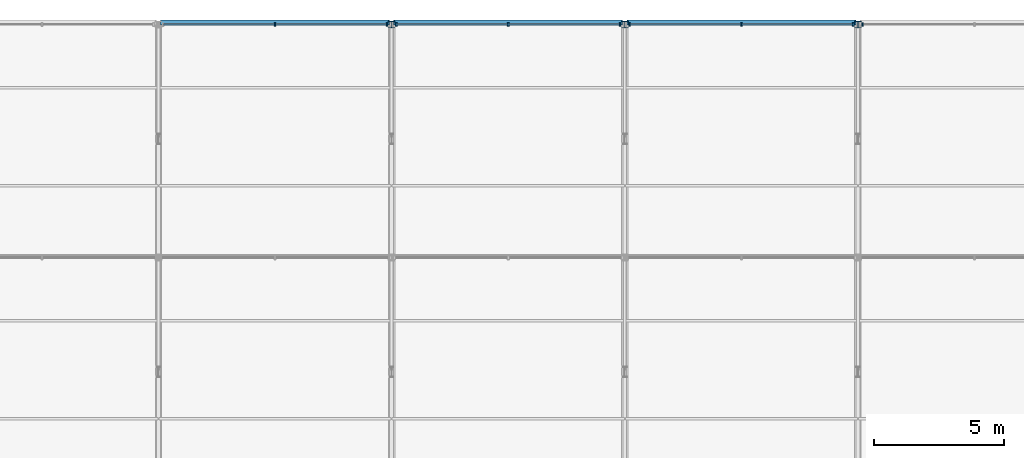
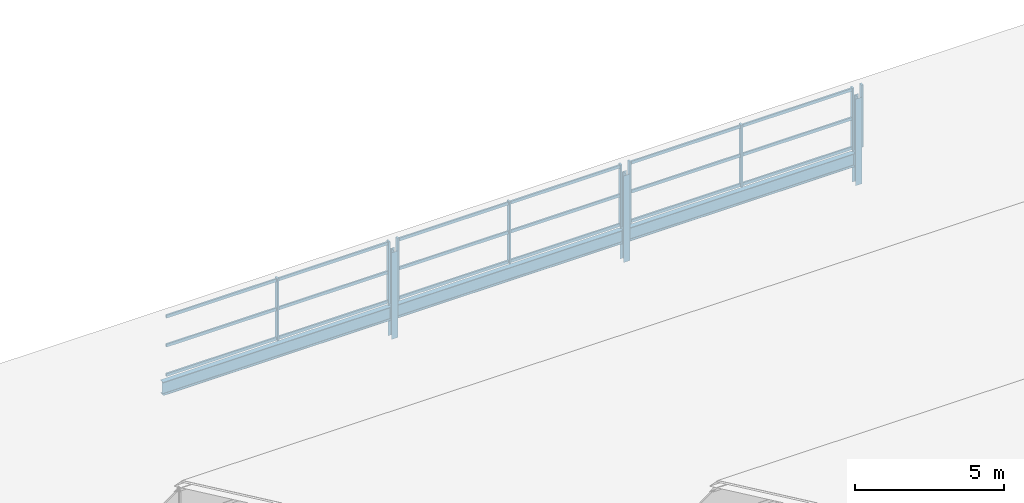
# One storey, part 100 of 163: 30 members, 3 beams, 4 elements without a shape of their own.
"""IFC4 building model written with IfcOpenShell, lengths in metres."""

from ifc_helpers import new_model, si_unit, direction, frame, origin, origin_2d, place, context, subcontext, project, spatial, rectangle, i_section, extrude, material, material_profile, profile_set, type_object, element, aggregate, save


model = new_model("IFC4")

# Units and contexts
model_context = context("Model", 3, precision=1e-05, world=origin(), true_north=direction((0.0, 1.0)))
body_context = subcontext(model_context, "Body", "Model", "MODEL_VIEW")
ifc_project = project(units=[si_unit("LENGTHUNIT", "METRE"), si_unit("AREAUNIT", "SQUARE_METRE"), si_unit("VOLUMEUNIT", "CUBIC_METRE"), si_unit("PLANEANGLEUNIT", "RADIAN"), si_unit("MASSUNIT", "GRAM", prefix="KILO")], contexts=[model_context])

# Site, building, storey
site_placement = place(None, origin())
site = spatial("IfcSite", under=ifc_project, at=site_placement, CompositionType="ELEMENT")
building_placement = place(site_placement, origin())
building = spatial("IfcBuilding", under=site, at=building_placement, Name="Tharagai Park Tramway Depot", CompositionType="ELEMENT")
storey_placement = place(building_placement, frame((0.0, 0.0, 8.39990234375)))
storey = spatial("IfcBuildingStorey", under=building, at=storey_placement, Name="L02", CompositionType="ELEMENT", Elevation=8.39990234375)

# Beams
ifc_material_1 = material(Name="Steel E350", Category="steel")
ifc_material_profile_1 = material_profile(ifc_material_1, i_section(OverallWidth=0.18994140625, OverallDepth=0.550048828125, WebThickness=0.01123046875, FlangeThickness=0.019287109375, FilletRadius=0.01806640625, at=origin_2d()), Name="ISMB 550")
ifc_profile_set_1 = profile_set([ifc_material_profile_1], Name="Steel E350")
beam_type = type_object("IfcBeamType", Name="BM-09", PredefinedType="BEAM", material=ifc_profile_set_1)
for number, where, z_axis, x_axis, name in (
    (1, (63.080078125, 144.0, 0.72509765625), (1.0, 0.0, 0.0), (0.0, 1.0, 0.0), "Sawtooth Valley Girder BM-09"),
    (2, (72.080078125, 144.0, 0.72509765625), (1.0, 0.0, 0.0), (0.0, 1.0, 0.0), "Sawtooth Valley Girder BM-09"),
    (3, (81.080078125, 144.0, 0.72509765625), (1.0, 0.0, 0.0), (0.0, 1.0, 0.0), "Sawtooth Valley Girder BM-09"),
):
    element("IfcBeam", number, at=place(storey_placement, frame(where, z_axis=z_axis, x_axis=x_axis)), inside=storey, type_object=beam_type, Name=name, PredefinedType="BEAM", context=body_context, shape_type="SweptSolid", body=[
        extrude(i_section(OverallWidth=0.18994140625, OverallDepth=0.550048828125, WebThickness=0.01123046875, FlangeThickness=0.019287109375, FilletRadius=0.01806640625, at=origin_2d()), origin(), (0.0, 0.0, 1.0), 8.83984375),
    ])

# Members
ifc_material_profile_2 = material_profile(ifc_material_1, i_section(OverallWidth=0.25, OverallDepth=0.25, WebThickness=0.0087890625, FlangeThickness=0.009765625, FilletRadius=0.010009765625, at=origin_2d()), Name="ISHB 250")
ifc_profile_set_2 = profile_set([ifc_material_profile_2], Name="Steel E350")
member_type_1 = type_object("IfcMemberType", Name="BR-01", PredefinedType="BRACE", material=ifc_profile_set_2)
for number, where, z_axis, x_axis, name in (
    (4, (72.0, 143.919921875, -0.25), (0.0, 0.0, 1.0), (1.0, 0.0, 0.0), "Sawtooth North Vertical Post BR-01"),
    (5, (81.0, 143.919921875, -0.25), (0.0, 0.0, 1.0), (1.0, 0.0, 0.0), "Sawtooth North Vertical Post BR-01"),
    (6, (90.0, 143.919921875, -0.25), (0.0, 0.0, 1.0), (1.0, 0.0, 0.0), "Sawtooth North Vertical Post BR-01"),
):
    element("IfcMember", number, at=place(storey_placement, frame(where, z_axis=z_axis, x_axis=x_axis)), inside=storey, type_object=member_type_1, Name=name, PredefinedType="BRACE", context=body_context, shape_type="SweptSolid", body=[
        extrude(i_section(OverallWidth=0.25, OverallDepth=0.25, WebThickness=0.0087890625, FlangeThickness=0.009765625, FilletRadius=0.010009765625, at=origin_2d()), origin(), (0.0, 0.0, 1.0), 3.55517578125),
    ])

# Curtain wall, members
ifc_material_2 = material(Name="Anodised aluminium", Category="aluminium")
curtain_wall_type = type_object("IfcCurtainWallType", Name="CW-03", PredefinedType="NOTDEFINED", material=ifc_material_2)
curtain_wall_1_placement = place(storey_placement, origin())
curtain_wall_1 = element("IfcCurtainWall", 7, at=curtain_wall_1_placement, inside=storey, type_object=curtain_wall_type, Name="Sawtooth North-Light Clerestory CW-03", PredefinedType="NOTDEFINED")
ifc_material_profile_3 = material_profile(ifc_material_2, rectangle(XDim=0.06494140625, YDim=0.1201171875, at=origin_2d()), Name="ALU 65x120")
ifc_profile_set_3 = profile_set([ifc_material_profile_3], Name="Anodised aluminium")
member_type_2 = type_object("IfcMemberType", Name="CM-01", PredefinedType="USERDEFINED", material=ifc_profile_set_3)
member_1_placement = place(storey_placement, frame((63.195068359375, 143.919921875, 1.26513671875), z_axis=(1.0, 0.0, 0.0), x_axis=(0.0, 1.0, 0.0)))
member_1 = element("IfcMember", 8, at=member_1_placement, type_object=member_type_2, Name="Sawtooth North-Light Clerestory Transom 1.1", ObjectType="TRANSOM", PredefinedType="USERDEFINED", context=body_context, shape_type="SweptSolid", body=[
    extrude(rectangle(XDim=0.06494140625, YDim=0.1201171875, at=origin_2d()), origin(), (0.0, 0.0, 1.0), 4.2900390625),
])
member_2_placement = place(storey_placement, frame((63.195068359375, 143.919921875, 2.4736328125), z_axis=(1.0, 0.0, 0.0), x_axis=(0.0, 1.0, 0.0)))
member_2 = element("IfcMember", 9, at=member_2_placement, type_object=member_type_2, Name="Sawtooth North-Light Clerestory Transom 1.2", ObjectType="TRANSOM", PredefinedType="USERDEFINED", context=body_context, shape_type="SweptSolid", body=[
    extrude(rectangle(XDim=0.06494140625, YDim=0.1201171875, at=origin_2d()), origin(), (0.0, 0.0, 1.0), 4.2900390625),
])
member_3_placement = place(storey_placement, frame((63.195068359375, 143.919921875, 3.662353515625), z_axis=(1.0, 0.0, 0.0), x_axis=(0.0, 1.0, 0.0)))
member_3 = element("IfcMember", 10, at=member_3_placement, type_object=member_type_2, Name="Sawtooth North-Light Clerestory Transom 1.3", ObjectType="TRANSOM", PredefinedType="USERDEFINED", context=body_context, shape_type="SweptSolid", body=[
    extrude(rectangle(XDim=0.06494140625, YDim=0.1201171875, at=origin_2d()), origin(), (0.0, 0.0, 1.0), 4.2900390625),
])
member_4_placement = place(storey_placement, frame((67.514892578125, 143.919921875, 1.26513671875), z_axis=(1.0, 0.0, 0.0), x_axis=(0.0, 1.0, 0.0)))
member_4 = element("IfcMember", 11, at=member_4_placement, type_object=member_type_2, Name="Sawtooth North-Light Clerestory Transom 2.1", ObjectType="TRANSOM", PredefinedType="USERDEFINED", context=body_context, shape_type="SweptSolid", body=[
    extrude(rectangle(XDim=0.06494140625, YDim=0.1201171875, at=origin_2d()), origin(), (0.0, 0.0, 1.0), 4.2900390625),
])
member_5_placement = place(storey_placement, frame((67.514892578125, 143.919921875, 2.4736328125), z_axis=(1.0, 0.0, 0.0), x_axis=(0.0, 1.0, 0.0)))
member_5 = element("IfcMember", 12, at=member_5_placement, type_object=member_type_2, Name="Sawtooth North-Light Clerestory Transom 2.2", ObjectType="TRANSOM", PredefinedType="USERDEFINED", context=body_context, shape_type="SweptSolid", body=[
    extrude(rectangle(XDim=0.06494140625, YDim=0.1201171875, at=origin_2d()), origin(), (0.0, 0.0, 1.0), 4.2900390625),
])
member_6_placement = place(storey_placement, frame((67.514892578125, 143.919921875, 3.662353515625), z_axis=(1.0, 0.0, 0.0), x_axis=(0.0, 1.0, 0.0)))
member_6 = element("IfcMember", 13, at=member_6_placement, type_object=member_type_2, Name="Sawtooth North-Light Clerestory Transom 2.3", ObjectType="TRANSOM", PredefinedType="USERDEFINED", context=body_context, shape_type="SweptSolid", body=[
    extrude(rectangle(XDim=0.06494140625, YDim=0.1201171875, at=origin_2d()), origin(), (0.0, 0.0, 1.0), 4.2900390625),
])

curtain_wall_2_placement = place(storey_placement, origin())
curtain_wall_2 = element("IfcCurtainWall", 14, at=curtain_wall_2_placement, inside=storey, type_object=curtain_wall_type, Name="Sawtooth North-Light Clerestory CW-03", PredefinedType="NOTDEFINED")
member_7_placement = place(storey_placement, frame((72.195068359375, 143.919921875, 1.26513671875), z_axis=(1.0, 0.0, 0.0), x_axis=(0.0, 1.0, 0.0)))
member_7 = element("IfcMember", 15, at=member_7_placement, type_object=member_type_2, Name="Sawtooth North-Light Clerestory Transom 1.1", ObjectType="TRANSOM", PredefinedType="USERDEFINED", context=body_context, shape_type="SweptSolid", body=[
    extrude(rectangle(XDim=0.06494140625, YDim=0.1201171875, at=origin_2d()), origin(), (0.0, 0.0, 1.0), 4.2900390625),
])
member_8_placement = place(storey_placement, frame((72.195068359375, 143.919921875, 2.4736328125), z_axis=(1.0, 0.0, 0.0), x_axis=(0.0, 1.0, 0.0)))
member_8 = element("IfcMember", 16, at=member_8_placement, type_object=member_type_2, Name="Sawtooth North-Light Clerestory Transom 1.2", ObjectType="TRANSOM", PredefinedType="USERDEFINED", context=body_context, shape_type="SweptSolid", body=[
    extrude(rectangle(XDim=0.06494140625, YDim=0.1201171875, at=origin_2d()), origin(), (0.0, 0.0, 1.0), 4.2900390625),
])
member_9_placement = place(storey_placement, frame((72.195068359375, 143.919921875, 3.662353515625), z_axis=(1.0, 0.0, 0.0), x_axis=(0.0, 1.0, 0.0)))
member_9 = element("IfcMember", 17, at=member_9_placement, type_object=member_type_2, Name="Sawtooth North-Light Clerestory Transom 1.3", ObjectType="TRANSOM", PredefinedType="USERDEFINED", context=body_context, shape_type="SweptSolid", body=[
    extrude(rectangle(XDim=0.06494140625, YDim=0.1201171875, at=origin_2d()), origin(), (0.0, 0.0, 1.0), 4.2900390625),
])
member_10_placement = place(storey_placement, frame((76.514892578125, 143.919921875, 1.26513671875), z_axis=(1.0, 0.0, 0.0), x_axis=(0.0, 1.0, 0.0)))
member_10 = element("IfcMember", 18, at=member_10_placement, type_object=member_type_2, Name="Sawtooth North-Light Clerestory Transom 2.1", ObjectType="TRANSOM", PredefinedType="USERDEFINED", context=body_context, shape_type="SweptSolid", body=[
    extrude(rectangle(XDim=0.06494140625, YDim=0.1201171875, at=origin_2d()), origin(), (0.0, 0.0, 1.0), 4.2900390625),
])
member_11_placement = place(storey_placement, frame((76.514892578125, 143.919921875, 2.4736328125), z_axis=(1.0, 0.0, 0.0), x_axis=(0.0, 1.0, 0.0)))
member_11 = element("IfcMember", 19, at=member_11_placement, type_object=member_type_2, Name="Sawtooth North-Light Clerestory Transom 2.2", ObjectType="TRANSOM", PredefinedType="USERDEFINED", context=body_context, shape_type="SweptSolid", body=[
    extrude(rectangle(XDim=0.06494140625, YDim=0.1201171875, at=origin_2d()), origin(), (0.0, 0.0, 1.0), 4.2900390625),
])
member_12_placement = place(storey_placement, frame((76.514892578125, 143.919921875, 3.662353515625), z_axis=(1.0, 0.0, 0.0), x_axis=(0.0, 1.0, 0.0)))
member_12 = element("IfcMember", 20, at=member_12_placement, type_object=member_type_2, Name="Sawtooth North-Light Clerestory Transom 2.3", ObjectType="TRANSOM", PredefinedType="USERDEFINED", context=body_context, shape_type="SweptSolid", body=[
    extrude(rectangle(XDim=0.06494140625, YDim=0.1201171875, at=origin_2d()), origin(), (0.0, 0.0, 1.0), 4.2900390625),
])

curtain_wall_3_placement = place(storey_placement, origin())
curtain_wall_3 = element("IfcCurtainWall", 21, at=curtain_wall_3_placement, inside=storey, type_object=curtain_wall_type, Name="Sawtooth North-Light Clerestory CW-03", PredefinedType="NOTDEFINED")
member_13_placement = place(storey_placement, frame((81.195068359375, 143.919921875, 1.26513671875), z_axis=(1.0, 0.0, 0.0), x_axis=(0.0, 1.0, 0.0)))
member_13 = element("IfcMember", 22, at=member_13_placement, type_object=member_type_2, Name="Sawtooth North-Light Clerestory Transom 1.1", ObjectType="TRANSOM", PredefinedType="USERDEFINED", context=body_context, shape_type="SweptSolid", body=[
    extrude(rectangle(XDim=0.06494140625, YDim=0.1201171875, at=origin_2d()), origin(), (0.0, 0.0, 1.0), 4.2900390625),
])
member_14_placement = place(storey_placement, frame((81.195068359375, 143.919921875, 2.4736328125), z_axis=(1.0, 0.0, 0.0), x_axis=(0.0, 1.0, 0.0)))
member_14 = element("IfcMember", 23, at=member_14_placement, type_object=member_type_2, Name="Sawtooth North-Light Clerestory Transom 1.2", ObjectType="TRANSOM", PredefinedType="USERDEFINED", context=body_context, shape_type="SweptSolid", body=[
    extrude(rectangle(XDim=0.06494140625, YDim=0.1201171875, at=origin_2d()), origin(), (0.0, 0.0, 1.0), 4.2900390625),
])
member_15_placement = place(storey_placement, frame((81.195068359375, 143.919921875, 3.662353515625), z_axis=(1.0, 0.0, 0.0), x_axis=(0.0, 1.0, 0.0)))
member_15 = element("IfcMember", 24, at=member_15_placement, type_object=member_type_2, Name="Sawtooth North-Light Clerestory Transom 1.3", ObjectType="TRANSOM", PredefinedType="USERDEFINED", context=body_context, shape_type="SweptSolid", body=[
    extrude(rectangle(XDim=0.06494140625, YDim=0.1201171875, at=origin_2d()), origin(), (0.0, 0.0, 1.0), 4.2900390625),
])
member_16_placement = place(storey_placement, frame((85.514892578125, 143.919921875, 1.26513671875), z_axis=(1.0, 0.0, 0.0), x_axis=(0.0, 1.0, 0.0)))
member_16 = element("IfcMember", 25, at=member_16_placement, type_object=member_type_2, Name="Sawtooth North-Light Clerestory Transom 2.1", ObjectType="TRANSOM", PredefinedType="USERDEFINED", context=body_context, shape_type="SweptSolid", body=[
    extrude(rectangle(XDim=0.06494140625, YDim=0.1201171875, at=origin_2d()), origin(), (0.0, 0.0, 1.0), 4.2900390625),
])
member_17_placement = place(storey_placement, frame((85.514892578125, 143.919921875, 2.4736328125), z_axis=(1.0, 0.0, 0.0), x_axis=(0.0, 1.0, 0.0)))
member_17 = element("IfcMember", 26, at=member_17_placement, type_object=member_type_2, Name="Sawtooth North-Light Clerestory Transom 2.2", ObjectType="TRANSOM", PredefinedType="USERDEFINED", context=body_context, shape_type="SweptSolid", body=[
    extrude(rectangle(XDim=0.06494140625, YDim=0.1201171875, at=origin_2d()), origin(), (0.0, 0.0, 1.0), 4.2900390625),
])
member_18_placement = place(storey_placement, frame((85.514892578125, 143.919921875, 3.662353515625), z_axis=(1.0, 0.0, 0.0), x_axis=(0.0, 1.0, 0.0)))
member_18 = element("IfcMember", 27, at=member_18_placement, type_object=member_type_2, Name="Sawtooth North-Light Clerestory Transom 2.3", ObjectType="TRANSOM", PredefinedType="USERDEFINED", context=body_context, shape_type="SweptSolid", body=[
    extrude(rectangle(XDim=0.06494140625, YDim=0.1201171875, at=origin_2d()), origin(), (0.0, 0.0, 1.0), 4.2900390625),
])

# Member
ifc_material_profile_4 = material_profile(ifc_material_2, rectangle(XDim=0.06494140625, YDim=0.14990234375, at=origin_2d()), Name="ALU 65x150")
ifc_profile_set_4 = profile_set([ifc_material_profile_4], Name="Anodised aluminium")
member_type_3 = type_object("IfcMemberType", Name="CM-03", PredefinedType="MULLION", material=ifc_profile_set_4)
member_19_placement = place(storey_placement, frame((67.5, 143.919921875, 1.2001953125), z_axis=(0.0, 0.0, 1.0), x_axis=(1.0, 0.0, 0.0)))
member_19 = element("IfcMember", 28, at=member_19_placement, type_object=member_type_3, Name="Sawtooth North-Light Clerestory Mullion 2", PredefinedType="MULLION", context=body_context, shape_type="SweptSolid", body=[
    extrude(rectangle(XDim=0.06494140625, YDim=0.14990234375, at=origin_2d()), origin(), (0.0, 0.0, 1.0), 2.547119140625),
])

member_20_placement = place(storey_placement, frame((71.820068359375, 143.919921875, 1.2001953125), z_axis=(0.0, 0.0, 1.0), x_axis=(1.0, 0.0, 0.0)))
member_20 = element("IfcMember", 29, at=member_20_placement, type_object=member_type_3, Name="Sawtooth North-Light Clerestory Mullion 3", PredefinedType="MULLION", context=body_context, shape_type="SweptSolid", body=[
    extrude(rectangle(XDim=0.06494140625, YDim=0.14990234375, at=origin_2d()), origin(), (0.0, 0.0, 1.0), 2.547119140625),
])

aggregate(curtain_wall_1, [member_19, member_20, member_1, member_2, member_3, member_4, member_5, member_6])

member_21_placement = place(storey_placement, frame((72.179931640625, 143.919921875, 1.2001953125), z_axis=(0.0, 0.0, 1.0), x_axis=(1.0, 0.0, 0.0)))
member_21 = element("IfcMember", 30, at=member_21_placement, type_object=member_type_3, Name="Sawtooth North-Light Clerestory Mullion 1", PredefinedType="MULLION", context=body_context, shape_type="SweptSolid", body=[
    extrude(rectangle(XDim=0.06494140625, YDim=0.14990234375, at=origin_2d()), origin(), (0.0, 0.0, 1.0), 2.547119140625),
])

member_22_placement = place(storey_placement, frame((76.5, 143.919921875, 1.2001953125), z_axis=(0.0, 0.0, 1.0), x_axis=(1.0, 0.0, 0.0)))
member_22 = element("IfcMember", 31, at=member_22_placement, type_object=member_type_3, Name="Sawtooth North-Light Clerestory Mullion 2", PredefinedType="MULLION", context=body_context, shape_type="SweptSolid", body=[
    extrude(rectangle(XDim=0.06494140625, YDim=0.14990234375, at=origin_2d()), origin(), (0.0, 0.0, 1.0), 2.547119140625),
])

member_23_placement = place(storey_placement, frame((80.820068359375, 143.919921875, 1.2001953125), z_axis=(0.0, 0.0, 1.0), x_axis=(1.0, 0.0, 0.0)))
member_23 = element("IfcMember", 32, at=member_23_placement, type_object=member_type_3, Name="Sawtooth North-Light Clerestory Mullion 3", PredefinedType="MULLION", context=body_context, shape_type="SweptSolid", body=[
    extrude(rectangle(XDim=0.06494140625, YDim=0.14990234375, at=origin_2d()), origin(), (0.0, 0.0, 1.0), 2.547119140625),
])

aggregate(curtain_wall_2, [member_21, member_22, member_23, member_7, member_8, member_9, member_10, member_11, member_12])

member_24_placement = place(storey_placement, frame((81.179931640625, 143.919921875, 1.2001953125), z_axis=(0.0, 0.0, 1.0), x_axis=(1.0, 0.0, 0.0)))
member_24 = element("IfcMember", 33, at=member_24_placement, type_object=member_type_3, Name="Sawtooth North-Light Clerestory Mullion 1", PredefinedType="MULLION", context=body_context, shape_type="SweptSolid", body=[
    extrude(rectangle(XDim=0.06494140625, YDim=0.14990234375, at=origin_2d()), origin(), (0.0, 0.0, 1.0), 2.547119140625),
])

member_25_placement = place(storey_placement, frame((85.5, 143.919921875, 1.2001953125), z_axis=(0.0, 0.0, 1.0), x_axis=(1.0, 0.0, 0.0)))
member_25 = element("IfcMember", 34, at=member_25_placement, type_object=member_type_3, Name="Sawtooth North-Light Clerestory Mullion 2", PredefinedType="MULLION", context=body_context, shape_type="SweptSolid", body=[
    extrude(rectangle(XDim=0.06494140625, YDim=0.14990234375, at=origin_2d()), origin(), (0.0, 0.0, 1.0), 2.547119140625),
])

member_26_placement = place(storey_placement, frame((89.820068359375, 143.919921875, 1.2001953125), z_axis=(0.0, 0.0, 1.0), x_axis=(1.0, 0.0, 0.0)))
member_26 = element("IfcMember", 35, at=member_26_placement, type_object=member_type_3, Name="Sawtooth North-Light Clerestory Mullion 3", PredefinedType="MULLION", context=body_context, shape_type="SweptSolid", body=[
    extrude(rectangle(XDim=0.06494140625, YDim=0.14990234375, at=origin_2d()), origin(), (0.0, 0.0, 1.0), 2.547119140625),
])

aggregate(curtain_wall_3, [member_24, member_25, member_26, member_13, member_14, member_15, member_16, member_17, member_18])

# Curtain wall, member
curtain_wall_4_placement = place(storey_placement, origin())
curtain_wall_4 = element("IfcCurtainWall", 36, at=curtain_wall_4_placement, inside=storey, type_object=curtain_wall_type, Name="Sawtooth North-Light Clerestory CW-03", PredefinedType="NOTDEFINED")
member_27_placement = place(storey_placement, frame((90.179931640625, 143.919921875, 1.2001953125), z_axis=(0.0, 0.0, 1.0), x_axis=(1.0, 0.0, 0.0)))
member_27 = element("IfcMember", 37, at=member_27_placement, type_object=member_type_3, Name="Sawtooth North-Light Clerestory Mullion 1", PredefinedType="MULLION", context=body_context, shape_type="SweptSolid", body=[
    extrude(rectangle(XDim=0.06494140625, YDim=0.14990234375, at=origin_2d()), origin(), (0.0, 0.0, 1.0), 2.547119140625),
])
aggregate(curtain_wall_4, [member_27])

save(model, "model.ifc")
